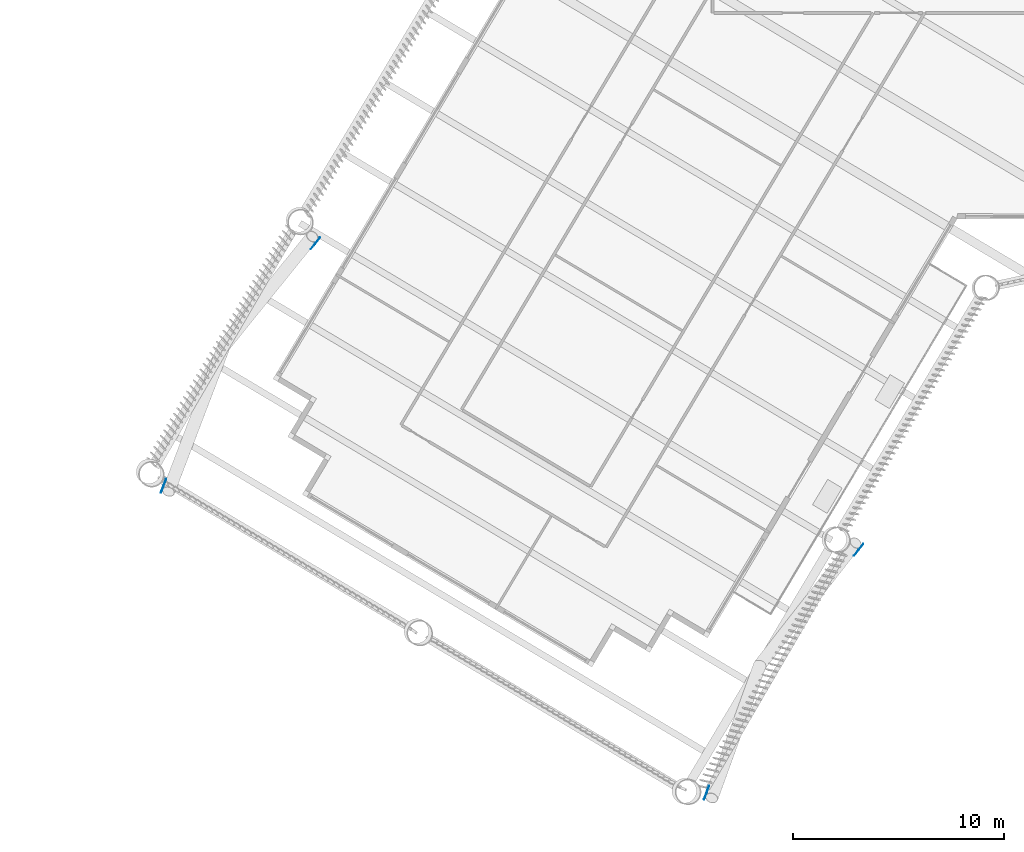
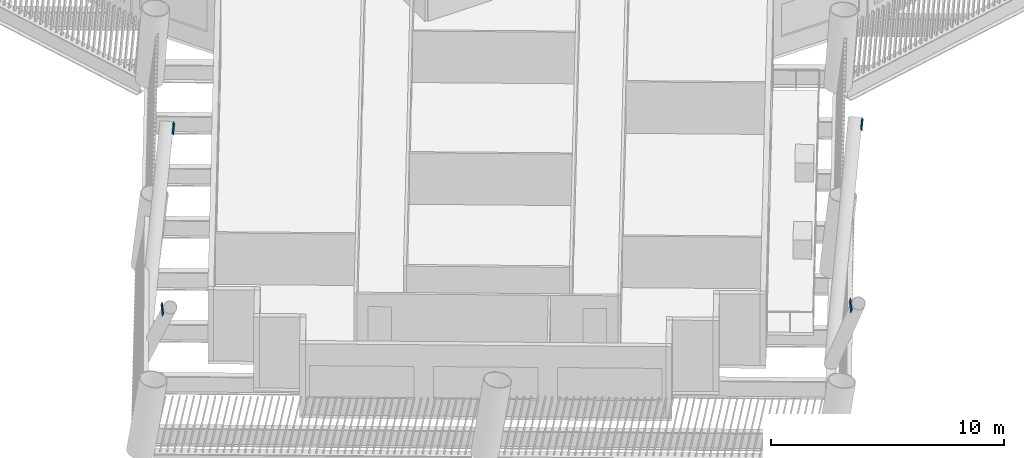
# One storey, part 9 of 22: 4 discrete accessories.
"""IFC4 building model written with IfcOpenShell, lengths in metres."""

from ifc_helpers import new_model, si_unit, direction, frame, origin, origin_2d, place, context, subcontext, project, spatial, rectangle, extrude, material, material_profile, profile_set, type_object, element, save


model = new_model("IFC4")

# Units and contexts
model_context = context("Model", 3, precision=1e-05, world=origin(), true_north=direction((0.0, 1.0)))
body_context = subcontext(model_context, "Body", "Model", "MODEL_VIEW")
ifc_project = project(units=[si_unit("LENGTHUNIT", "METRE"), si_unit("AREAUNIT", "SQUARE_METRE"), si_unit("VOLUMEUNIT", "CUBIC_METRE"), si_unit("PLANEANGLEUNIT", "RADIAN"), si_unit("MASSUNIT", "GRAM", prefix="KILO")], contexts=[model_context])

# Site, building, storey
site_placement = place(None, origin())
site = spatial("IfcSite", under=ifc_project, at=site_placement, CompositionType="ELEMENT")
building_placement = place(site_placement, origin())
building = spatial("IfcBuilding", under=site, at=building_placement, Name="Tarsis Ring Headquarters", CompositionType="ELEMENT")
storey_placement = place(building_placement, frame((0.0, 0.0, 79.0)))
storey = spatial("IfcBuildingStorey", under=building, at=storey_placement, Name="L17", CompositionType="ELEMENT", Elevation=79.0)

# Discrete accessories
ifc_material = material(Name="Structural steel S355", Category="steel")
ifc_material_profile = material_profile(ifc_material, rectangle(XDim=0.02490234375, YDim=0.5, at=origin_2d()), Name="PL 25x500")
ifc_profile_set = profile_set([ifc_material_profile], Name="Structural steel S355")
discrete_accessory_type = type_object("IfcDiscreteAccessoryType", Name="Gusset plate Exo brace 25", PredefinedType="BRACKET", material=ifc_profile_set)
discrete_accessory_placement = place(storey_placement, frame((-39.123779296875, -38.608154296875, 7.800048828125), z_axis=(0.245487707724, 0.643246120835, -0.72523803912), x_axis=(-0.934274208002, 0.356555331278, 0.0)))
element("IfcDiscreteAccessory", 1, at=discrete_accessory_placement, inside=storey, type_object=discrete_accessory_type, Name="Gusset plate GP5", PredefinedType="BRACKET", context=body_context, shape_type="SweptSolid", body=[
    extrude(rectangle(XDim=0.02490234375, YDim=0.5, at=origin_2d()), origin(), (0.0, 0.0, 1.0), 0.500244140625),
])
for number, where, z_axis, x_axis, name in (
    (2, (-31.75146484375, -26.81103515625, 7.800048828125), (-0.408250627016, -0.505918241135, -0.759854037844), (0.778223551054, -0.627987344287, 0.0), "Gusset plate GP5"),
    (3, (-5.965576171875, -41.34716796875, 7.800048828125), (-0.423781246275, -0.540955784416, -0.726482136472), (0.787205059508, -0.616691328207, 0.0), "Gusset plate GP5"),
    (4, (-13.3427734375, -53.15283203125, 7.800048828125), (0.221699668467, 0.61235987722, -0.758857455503), (-0.940274126271, 0.340418224344, 0.0), "Gusset plate GP5"),
):
    element("IfcDiscreteAccessory", number, at=place(storey_placement, frame(where, z_axis=z_axis, x_axis=x_axis)), inside=storey, type_object=discrete_accessory_type, Name=name, PredefinedType="BRACKET", context=body_context, shape_type="SweptSolid", body=[
        extrude(rectangle(XDim=0.02490234375, YDim=0.5, at=origin_2d()), origin(), (0.0, 0.0, 1.0), 0.5),
    ])

save(model, "model.ifc")
